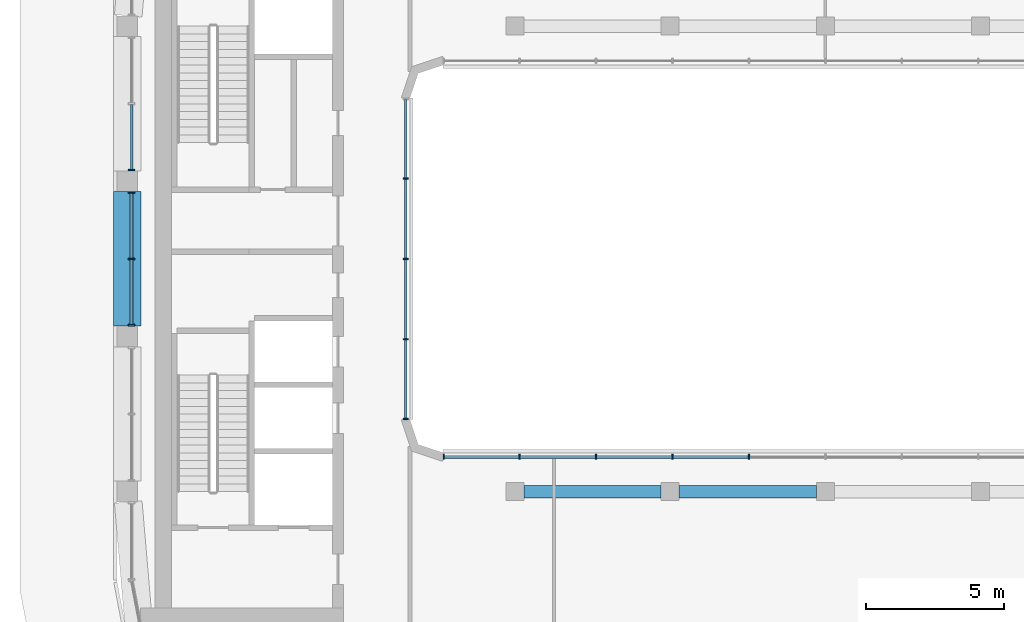
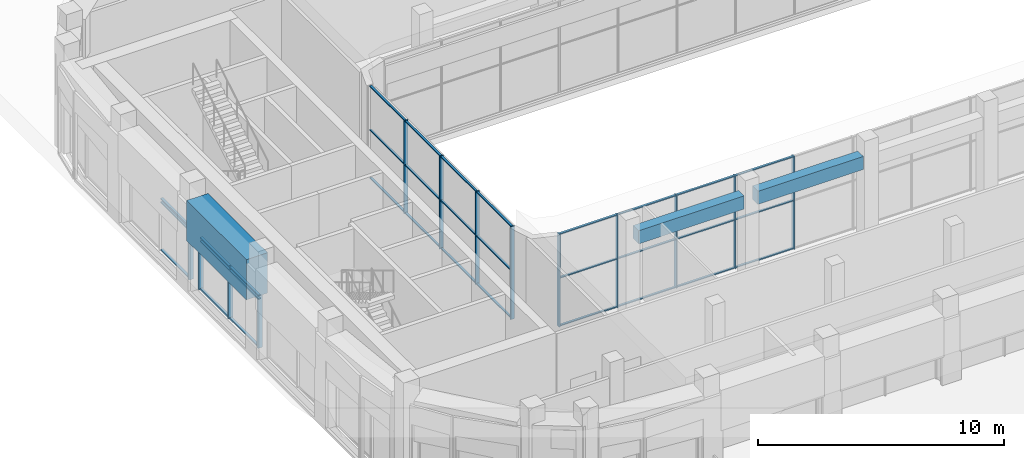
# One storey, part 4 of 23: 46 members, 3 beams, 4 elements without a shape of their own.
"""IFC4 building model written with IfcOpenShell, lengths in metres."""

from ifc_helpers import new_model, si_unit, direction, frame, origin, origin_2d, place, context, subcontext, project, spatial, rectangle, extrude, material, layer, layer_set, material_profile, profile_set, type_object, element, aggregate, save


model = new_model("IFC4")

# Units and contexts
model_context = context("Model", 3, precision=1e-05, world=origin(), true_north=direction((0.0, 1.0)))
body_context = subcontext(model_context, "Body", "Model", "MODEL_VIEW")
ifc_project = project(units=[si_unit("LENGTHUNIT", "METRE"), si_unit("AREAUNIT", "SQUARE_METRE"), si_unit("VOLUMEUNIT", "CUBIC_METRE"), si_unit("PLANEANGLEUNIT", "RADIAN"), si_unit("MASSUNIT", "GRAM", prefix="KILO")], contexts=[model_context])

# Site, building, storey
site_placement = place(None, origin())
site = spatial("IfcSite", under=ifc_project, at=site_placement, CompositionType="ELEMENT")
building_placement = place(site_placement, origin())
building = spatial("IfcBuilding", under=site, at=building_placement, Name="Kiln Ring Residences", CompositionType="ELEMENT")
storey_placement = place(building_placement, frame((0.0, 0.0, 294.5)))
storey = spatial("IfcBuildingStorey", under=building, at=storey_placement, Name="L76", CompositionType="ELEMENT", Elevation=294.5)

# Curtain wall, members
ifc_material_1 = material(Name="Aluminium and glass", Category="aluminium")
ifc_layer_1 = layer(ifc_material_1, 0.179931640625)
ifc_layer_set_1 = layer_set([ifc_layer_1], Name="CW3 CURTAIN WALL")
curtain_wall_type_1 = type_object("IfcCurtainWallType", Name="CW3 CURTAIN WALL", PredefinedType="NOTDEFINED", material=ifc_layer_set_1)
placement = place(storey_placement, origin())
curtain_wall_1 = element("IfcCurtainWall", 1, at=placement, inside=storey, type_object=curtain_wall_type_1, Name="Curtain wall CW3 L76", PredefinedType="NOTDEFINED")
ifc_material_2 = material(Name="Aluminium 6063-T6", Category="aluminium")
ifc_material_profile_1 = material_profile(ifc_material_2, rectangle(XDim=0.179931640625, YDim=0.050048828125, at=origin_2d()), Name="AL 180x50")
ifc_profile_set_1 = profile_set([ifc_material_profile_1], Name="Aluminium 6063-T6")
member_type_1 = type_object("IfcMemberType", Name="CW3 MULLION 180 x 50", PredefinedType="MULLION", material=ifc_profile_set_1)
member_1_placement = place(storey_placement, frame((-15.14990234375, -5.77490234375, 0.0), z_axis=(0.0, 0.0, 1.0), x_axis=(-1.0, 0.0, 0.0)))
member_1 = element("IfcMember", 2, at=member_1_placement, type_object=member_type_1, Name="CW3 mullion 1", PredefinedType="MULLION", context=body_context, shape_type="SweptSolid", body=[
    extrude(rectangle(XDim=0.179931640625, YDim=0.050048828125, at=origin_2d()), origin(), (0.0, 0.0, 1.0), 4.60009765625),
])
member_2_placement = place(storey_placement, frame((-15.14990234375, -2.89990234375, 0.0), z_axis=(0.0, 0.0, 1.0), x_axis=(-1.0, 0.0, 0.0)))
member_2 = element("IfcMember", 3, at=member_2_placement, type_object=member_type_1, Name="CW3 mullion 2", PredefinedType="MULLION", context=body_context, shape_type="SweptSolid", body=[
    extrude(rectangle(XDim=0.179931640625, YDim=0.050048828125, at=origin_2d()), origin(), (0.0, 0.0, 1.0), 4.60009765625),
])
member_3_placement = place(storey_placement, frame((-15.14990234375, 0.0, 0.0), z_axis=(0.0, 0.0, 1.0), x_axis=(-1.0, 0.0, 0.0)))
member_3 = element("IfcMember", 4, at=member_3_placement, type_object=member_type_1, Name="CW3 mullion 3", PredefinedType="MULLION", context=body_context, shape_type="SweptSolid", body=[
    extrude(rectangle(XDim=0.179931640625, YDim=0.050048828125, at=origin_2d()), origin(), (0.0, 0.0, 1.0), 4.60009765625),
])
member_4_placement = place(storey_placement, frame((-15.14990234375, 2.89990234375, 0.0), z_axis=(0.0, 0.0, 1.0), x_axis=(-1.0, 0.0, 0.0)))
member_4 = element("IfcMember", 5, at=member_4_placement, type_object=member_type_1, Name="CW3 mullion 4", PredefinedType="MULLION", context=body_context, shape_type="SweptSolid", body=[
    extrude(rectangle(XDim=0.179931640625, YDim=0.050048828125, at=origin_2d()), origin(), (0.0, 0.0, 1.0), 4.60009765625),
])

curtain_wall_2 = element("IfcCurtainWall", 6, at=placement, inside=storey, type_object=curtain_wall_type_1, Name="Curtain wall CW3 L76", PredefinedType="NOTDEFINED")
member_5_placement = place(storey_placement, frame((-2.760009765625, -7.14990234375, 0.0), z_axis=(0.0, 0.0, 1.0), x_axis=(0.0, -1.0, 0.0)))
member_5 = element("IfcMember", 7, at=member_5_placement, type_object=member_type_1, Name="CW3 mullion 7", PredefinedType="MULLION", context=body_context, shape_type="SweptSolid", body=[
    extrude(rectangle(XDim=0.179931640625, YDim=0.050048828125, at=origin_2d()), origin(), (0.0, 0.0, 1.0), 4.60009765625),
])
member_6_placement = place(storey_placement, frame((-5.52001953125, -7.14990234375, 0.0), z_axis=(0.0, 0.0, 1.0), x_axis=(0.0, -1.0, 0.0)))
member_6 = element("IfcMember", 8, at=member_6_placement, type_object=member_type_1, Name="CW3 mullion 8", PredefinedType="MULLION", context=body_context, shape_type="SweptSolid", body=[
    extrude(rectangle(XDim=0.179931640625, YDim=0.050048828125, at=origin_2d()), origin(), (0.0, 0.0, 1.0), 4.60009765625),
])
member_7_placement = place(storey_placement, frame((-8.280029296875, -7.14990234375, 0.0), z_axis=(0.0, 0.0, 1.0), x_axis=(0.0, -1.0, 0.0)))
member_7 = element("IfcMember", 9, at=member_7_placement, type_object=member_type_1, Name="CW3 mullion 9", PredefinedType="MULLION", context=body_context, shape_type="SweptSolid", body=[
    extrude(rectangle(XDim=0.179931640625, YDim=0.050048828125, at=origin_2d()), origin(), (0.0, 0.0, 1.0), 4.60009765625),
])
member_8_placement = place(storey_placement, frame((-11.0400390625, -7.14990234375, 0.0), z_axis=(0.0, 0.0, 1.0), x_axis=(0.0, -1.0, 0.0)))
member_8 = element("IfcMember", 10, at=member_8_placement, type_object=member_type_1, Name="CW3 mullion 10", PredefinedType="MULLION", context=body_context, shape_type="SweptSolid", body=[
    extrude(rectangle(XDim=0.179931640625, YDim=0.050048828125, at=origin_2d()), origin(), (0.0, 0.0, 1.0), 4.60009765625),
])
member_9_placement = place(storey_placement, frame((-13.77490234375, -7.14990234375, 0.0), z_axis=(0.0, 0.0, 1.0), x_axis=(0.0, -1.0, 0.0)))
member_9 = element("IfcMember", 11, at=member_9_placement, type_object=member_type_1, Name="CW3 mullion 11", PredefinedType="MULLION", context=body_context, shape_type="SweptSolid", body=[
    extrude(rectangle(XDim=0.179931640625, YDim=0.050048828125, at=origin_2d()), origin(), (0.0, 0.0, 1.0), 4.60009765625),
])

# Member
ifc_material_3 = material(Name="Aluminium 6063-T6", Category="aluminium")
ifc_material_profile_2 = material_profile(ifc_material_3, rectangle(XDim=0.10009765625, YDim=0.050048828125, at=origin_2d()), Name="AL 100x50")
ifc_profile_set_2 = profile_set([ifc_material_profile_2], Name="Aluminium 6063-T6")
member_type_2 = type_object("IfcMemberType", Name="CW3 TRANSOM 100 x 50", PredefinedType="USERDEFINED", material=ifc_profile_set_2)
member_10_placement = place(storey_placement, frame((-15.14990234375, -5.75, 0.02490234375), z_axis=(0.0, 1.0, 0.0), x_axis=(-1.0, 0.0, 0.0)))
member_10 = element("IfcMember", 12, at=member_10_placement, type_object=member_type_2, Name="CW3 transom 1.1", ObjectType="TRANSOM", PredefinedType="USERDEFINED", context=body_context, shape_type="SweptSolid", body=[
    extrude(rectangle(XDim=0.10009765625, YDim=0.050048828125, at=origin_2d()), origin(), (0.0, 0.0, 1.0), 2.824951171875),
])

member_11_placement = place(storey_placement, frame((-15.14990234375, -5.75, 2.39990234375), z_axis=(0.0, 1.0, 0.0), x_axis=(-1.0, 0.0, 0.0)))
member_11 = element("IfcMember", 13, at=member_11_placement, type_object=member_type_2, Name="CW3 transom 1.2", ObjectType="TRANSOM", PredefinedType="USERDEFINED", context=body_context, shape_type="SweptSolid", body=[
    extrude(rectangle(XDim=0.10009765625, YDim=0.050048828125, at=origin_2d()), origin(), (0.0, 0.0, 1.0), 2.824951171875),
])

member_12_placement = place(storey_placement, frame((-15.14990234375, -5.75, 4.574951171875), z_axis=(0.0, 1.0, 0.0), x_axis=(-1.0, 0.0, 0.0)))
member_12 = element("IfcMember", 14, at=member_12_placement, type_object=member_type_2, Name="CW3 transom 1.3", ObjectType="TRANSOM", PredefinedType="USERDEFINED", context=body_context, shape_type="SweptSolid", body=[
    extrude(rectangle(XDim=0.10009765625, YDim=0.050048828125, at=origin_2d()), origin(), (0.0, 0.0, 1.0), 2.824951171875),
])

member_13_placement = place(storey_placement, frame((-15.14990234375, -2.875, 0.02490234375), z_axis=(0.0, 1.0, 0.0), x_axis=(-1.0, 0.0, 0.0)))
member_13 = element("IfcMember", 15, at=member_13_placement, type_object=member_type_2, Name="CW3 transom 2.1", ObjectType="TRANSOM", PredefinedType="USERDEFINED", context=body_context, shape_type="SweptSolid", body=[
    extrude(rectangle(XDim=0.10009765625, YDim=0.050048828125, at=origin_2d()), origin(), (0.0, 0.0, 1.0), 2.85009765625),
])

member_14_placement = place(storey_placement, frame((-15.14990234375, -2.875, 2.39990234375), z_axis=(0.0, 1.0, 0.0), x_axis=(-1.0, 0.0, 0.0)))
member_14 = element("IfcMember", 16, at=member_14_placement, type_object=member_type_2, Name="CW3 transom 2.2", ObjectType="TRANSOM", PredefinedType="USERDEFINED", context=body_context, shape_type="SweptSolid", body=[
    extrude(rectangle(XDim=0.10009765625, YDim=0.050048828125, at=origin_2d()), origin(), (0.0, 0.0, 1.0), 2.85009765625),
])

member_15_placement = place(storey_placement, frame((-15.14990234375, -2.875, 4.574951171875), z_axis=(0.0, 1.0, 0.0), x_axis=(-1.0, 0.0, 0.0)))
member_15 = element("IfcMember", 17, at=member_15_placement, type_object=member_type_2, Name="CW3 transom 2.3", ObjectType="TRANSOM", PredefinedType="USERDEFINED", context=body_context, shape_type="SweptSolid", body=[
    extrude(rectangle(XDim=0.10009765625, YDim=0.050048828125, at=origin_2d()), origin(), (0.0, 0.0, 1.0), 2.85009765625),
])

member_16_placement = place(storey_placement, frame((-15.14990234375, 0.02490234375, 0.02490234375), z_axis=(0.0, 1.0, 0.0), x_axis=(-1.0, 0.0, 0.0)))
member_16 = element("IfcMember", 18, at=member_16_placement, type_object=member_type_2, Name="CW3 transom 3.1", ObjectType="TRANSOM", PredefinedType="USERDEFINED", context=body_context, shape_type="SweptSolid", body=[
    extrude(rectangle(XDim=0.10009765625, YDim=0.050048828125, at=origin_2d()), origin(), (0.0, 0.0, 1.0), 2.85009765625),
])

member_17_placement = place(storey_placement, frame((-15.14990234375, 0.02490234375, 2.39990234375), z_axis=(0.0, 1.0, 0.0), x_axis=(-1.0, 0.0, 0.0)))
member_17 = element("IfcMember", 19, at=member_17_placement, type_object=member_type_2, Name="CW3 transom 3.2", ObjectType="TRANSOM", PredefinedType="USERDEFINED", context=body_context, shape_type="SweptSolid", body=[
    extrude(rectangle(XDim=0.10009765625, YDim=0.050048828125, at=origin_2d()), origin(), (0.0, 0.0, 1.0), 2.85009765625),
])

member_18_placement = place(storey_placement, frame((-15.14990234375, 0.02490234375, 4.574951171875), z_axis=(0.0, 1.0, 0.0), x_axis=(-1.0, 0.0, 0.0)))
member_18 = element("IfcMember", 20, at=member_18_placement, type_object=member_type_2, Name="CW3 transom 3.3", ObjectType="TRANSOM", PredefinedType="USERDEFINED", context=body_context, shape_type="SweptSolid", body=[
    extrude(rectangle(XDim=0.10009765625, YDim=0.050048828125, at=origin_2d()), origin(), (0.0, 0.0, 1.0), 2.85009765625),
])

member_19_placement = place(storey_placement, frame((-15.14990234375, 2.925048828125, 0.02490234375), z_axis=(0.0, 1.0, 0.0), x_axis=(-1.0, 0.0, 0.0)))
member_19 = element("IfcMember", 21, at=member_19_placement, type_object=member_type_2, Name="CW3 transom 4.1", ObjectType="TRANSOM", PredefinedType="USERDEFINED", context=body_context, shape_type="SweptSolid", body=[
    extrude(rectangle(XDim=0.10009765625, YDim=0.050048828125, at=origin_2d()), origin(), (0.0, 0.0, 1.0), 2.824951171875),
])

member_20_placement = place(storey_placement, frame((-15.14990234375, 2.925048828125, 2.39990234375), z_axis=(0.0, 1.0, 0.0), x_axis=(-1.0, 0.0, 0.0)))
member_20 = element("IfcMember", 22, at=member_20_placement, type_object=member_type_2, Name="CW3 transom 4.2", ObjectType="TRANSOM", PredefinedType="USERDEFINED", context=body_context, shape_type="SweptSolid", body=[
    extrude(rectangle(XDim=0.10009765625, YDim=0.050048828125, at=origin_2d()), origin(), (0.0, 0.0, 1.0), 2.824951171875),
])

member_21_placement = place(storey_placement, frame((-15.14990234375, 2.925048828125, 4.574951171875), z_axis=(0.0, 1.0, 0.0), x_axis=(-1.0, 0.0, 0.0)))
member_21 = element("IfcMember", 23, at=member_21_placement, type_object=member_type_2, Name="CW3 transom 4.3", ObjectType="TRANSOM", PredefinedType="USERDEFINED", context=body_context, shape_type="SweptSolid", body=[
    extrude(rectangle(XDim=0.10009765625, YDim=0.050048828125, at=origin_2d()), origin(), (0.0, 0.0, 1.0), 2.824951171875),
])

aggregate(curtain_wall_1, [member_1, member_2, member_3, member_4, member_10, member_11, member_12, member_13, member_14, member_15, member_16, member_17, member_18, member_19, member_20, member_21])

member_22_placement = place(storey_placement, frame((-2.784912109375, -7.14990234375, 0.02490234375), z_axis=(-1.0, 0.0, 0.0), x_axis=(0.0, -1.0, 0.0)))
member_22 = element("IfcMember", 24, at=member_22_placement, type_object=member_type_2, Name="CW3 transom 7.1", ObjectType="TRANSOM", PredefinedType="USERDEFINED", context=body_context, shape_type="SweptSolid", body=[
    extrude(rectangle(XDim=0.10009765625, YDim=0.050048828125, at=origin_2d()), origin(), (0.0, 0.0, 1.0), 2.710205078125),
])

member_23_placement = place(storey_placement, frame((-2.784912109375, -7.14990234375, 2.39990234375), z_axis=(-1.0, 0.0, 0.0), x_axis=(0.0, -1.0, 0.0)))
member_23 = element("IfcMember", 25, at=member_23_placement, type_object=member_type_2, Name="CW3 transom 7.2", ObjectType="TRANSOM", PredefinedType="USERDEFINED", context=body_context, shape_type="SweptSolid", body=[
    extrude(rectangle(XDim=0.10009765625, YDim=0.050048828125, at=origin_2d()), origin(), (0.0, 0.0, 1.0), 2.710205078125),
])

member_24_placement = place(storey_placement, frame((-2.784912109375, -7.14990234375, 4.574951171875), z_axis=(-1.0, 0.0, 0.0), x_axis=(0.0, -1.0, 0.0)))
member_24 = element("IfcMember", 26, at=member_24_placement, type_object=member_type_2, Name="CW3 transom 7.3", ObjectType="TRANSOM", PredefinedType="USERDEFINED", context=body_context, shape_type="SweptSolid", body=[
    extrude(rectangle(XDim=0.10009765625, YDim=0.050048828125, at=origin_2d()), origin(), (0.0, 0.0, 1.0), 2.710205078125),
])

member_25_placement = place(storey_placement, frame((-5.544921875, -7.14990234375, 0.02490234375), z_axis=(-1.0, 0.0, 0.0), x_axis=(0.0, -1.0, 0.0)))
member_25 = element("IfcMember", 27, at=member_25_placement, type_object=member_type_2, Name="CW3 transom 8.1", ObjectType="TRANSOM", PredefinedType="USERDEFINED", context=body_context, shape_type="SweptSolid", body=[
    extrude(rectangle(XDim=0.10009765625, YDim=0.050048828125, at=origin_2d()), origin(), (0.0, 0.0, 1.0), 2.7099609375),
])

member_26_placement = place(storey_placement, frame((-5.544921875, -7.14990234375, 2.39990234375), z_axis=(-1.0, 0.0, 0.0), x_axis=(0.0, -1.0, 0.0)))
member_26 = element("IfcMember", 28, at=member_26_placement, type_object=member_type_2, Name="CW3 transom 8.2", ObjectType="TRANSOM", PredefinedType="USERDEFINED", context=body_context, shape_type="SweptSolid", body=[
    extrude(rectangle(XDim=0.10009765625, YDim=0.050048828125, at=origin_2d()), origin(), (0.0, 0.0, 1.0), 2.7099609375),
])

member_27_placement = place(storey_placement, frame((-5.544921875, -7.14990234375, 4.574951171875), z_axis=(-1.0, 0.0, 0.0), x_axis=(0.0, -1.0, 0.0)))
member_27 = element("IfcMember", 29, at=member_27_placement, type_object=member_type_2, Name="CW3 transom 8.3", ObjectType="TRANSOM", PredefinedType="USERDEFINED", context=body_context, shape_type="SweptSolid", body=[
    extrude(rectangle(XDim=0.10009765625, YDim=0.050048828125, at=origin_2d()), origin(), (0.0, 0.0, 1.0), 2.7099609375),
])

member_28_placement = place(storey_placement, frame((-8.304931640625, -7.14990234375, 0.02490234375), z_axis=(-1.0, 0.0, 0.0), x_axis=(0.0, -1.0, 0.0)))
member_28 = element("IfcMember", 30, at=member_28_placement, type_object=member_type_2, Name="CW3 transom 9.1", ObjectType="TRANSOM", PredefinedType="USERDEFINED", context=body_context, shape_type="SweptSolid", body=[
    extrude(rectangle(XDim=0.10009765625, YDim=0.050048828125, at=origin_2d()), origin(), (0.0, 0.0, 1.0), 2.7099609375),
])

member_29_placement = place(storey_placement, frame((-8.304931640625, -7.14990234375, 2.39990234375), z_axis=(-1.0, 0.0, 0.0), x_axis=(0.0, -1.0, 0.0)))
member_29 = element("IfcMember", 31, at=member_29_placement, type_object=member_type_2, Name="CW3 transom 9.2", ObjectType="TRANSOM", PredefinedType="USERDEFINED", context=body_context, shape_type="SweptSolid", body=[
    extrude(rectangle(XDim=0.10009765625, YDim=0.050048828125, at=origin_2d()), origin(), (0.0, 0.0, 1.0), 2.7099609375),
])

member_30_placement = place(storey_placement, frame((-8.304931640625, -7.14990234375, 4.574951171875), z_axis=(-1.0, 0.0, 0.0), x_axis=(0.0, -1.0, 0.0)))
member_30 = element("IfcMember", 32, at=member_30_placement, type_object=member_type_2, Name="CW3 transom 9.3", ObjectType="TRANSOM", PredefinedType="USERDEFINED", context=body_context, shape_type="SweptSolid", body=[
    extrude(rectangle(XDim=0.10009765625, YDim=0.050048828125, at=origin_2d()), origin(), (0.0, 0.0, 1.0), 2.7099609375),
])

member_31_placement = place(storey_placement, frame((-11.06494140625, -7.14990234375, 0.02490234375), z_axis=(-1.0, 0.0, 0.0), x_axis=(0.0, -1.0, 0.0)))
member_31 = element("IfcMember", 33, at=member_31_placement, type_object=member_type_2, Name="CW3 transom 10.1", ObjectType="TRANSOM", PredefinedType="USERDEFINED", context=body_context, shape_type="SweptSolid", body=[
    extrude(rectangle(XDim=0.10009765625, YDim=0.050048828125, at=origin_2d()), origin(), (0.0, 0.0, 1.0), 2.68505859375),
])

member_32_placement = place(storey_placement, frame((-11.06494140625, -7.14990234375, 2.39990234375), z_axis=(-1.0, 0.0, 0.0), x_axis=(0.0, -1.0, 0.0)))
member_32 = element("IfcMember", 34, at=member_32_placement, type_object=member_type_2, Name="CW3 transom 10.2", ObjectType="TRANSOM", PredefinedType="USERDEFINED", context=body_context, shape_type="SweptSolid", body=[
    extrude(rectangle(XDim=0.10009765625, YDim=0.050048828125, at=origin_2d()), origin(), (0.0, 0.0, 1.0), 2.68505859375),
])

member_33_placement = place(storey_placement, frame((-11.06494140625, -7.14990234375, 4.574951171875), z_axis=(-1.0, 0.0, 0.0), x_axis=(0.0, -1.0, 0.0)))
member_33 = element("IfcMember", 35, at=member_33_placement, type_object=member_type_2, Name="CW3 transom 10.3", ObjectType="TRANSOM", PredefinedType="USERDEFINED", context=body_context, shape_type="SweptSolid", body=[
    extrude(rectangle(XDim=0.10009765625, YDim=0.050048828125, at=origin_2d()), origin(), (0.0, 0.0, 1.0), 2.68505859375),
])

aggregate(curtain_wall_2, [member_5, member_6, member_7, member_8, member_9, member_22, member_23, member_24, member_25, member_26, member_27, member_28, member_29, member_30, member_31, member_32, member_33])

# Curtain wall, member
ifc_material_4 = material(Name="Aluminium and glass", Category="aluminium")
ifc_layer_2 = layer(ifc_material_4, 0.219970703125)
ifc_layer_set_2 = layer_set([ifc_layer_2], Name="CW5 CURTAIN WALL")
curtain_wall_type_2 = type_object("IfcCurtainWallType", Name="CW5 CURTAIN WALL", PredefinedType="NOTDEFINED", material=ifc_layer_set_2)
curtain_wall_3 = element("IfcCurtainWall", 36, at=placement, inside=storey, type_object=curtain_wall_type_2, Name="Curtain wall CW5 L76", PredefinedType="NOTDEFINED")
ifc_material_5 = material(Name="Aluminium 6063-T6", Category="aluminium")
ifc_material_profile_3 = material_profile(ifc_material_5, rectangle(XDim=0.219970703125, YDim=0.06005859375, at=origin_2d()), Name="AL 220x60")
ifc_profile_set_3 = profile_set([ifc_material_profile_3], Name="Aluminium 6063-T6")
member_type_3 = type_object("IfcMemberType", Name="CW5 MULLION 220 x 60", PredefinedType="MULLION", material=ifc_profile_set_3)
member_34_placement = place(storey_placement, frame((-25.050048828125, 3.205078125, 0.0), z_axis=(0.0, 0.0, 1.0), x_axis=(1.0, 0.0, 0.0)))
member_34 = element("IfcMember", 37, at=member_34_placement, type_object=member_type_3, Name="CW5 mullion 3", PredefinedType="MULLION", context=body_context, shape_type="SweptSolid", body=[
    extrude(rectangle(XDim=0.219970703125, YDim=0.06005859375, at=origin_2d()), origin(), (0.0, 0.0, 1.0), 2.60009765625),
])

# Curtain wall, members
curtain_wall_4 = element("IfcCurtainWall", 38, at=placement, inside=storey, type_object=curtain_wall_type_2, Name="Curtain wall CW5 L76", PredefinedType="NOTDEFINED")
member_35_placement = place(storey_placement, frame((-25.050048828125, 2.39501953125, 0.0), z_axis=(0.0, 0.0, 1.0), x_axis=(1.0, 0.0, 0.0)))
member_35 = element("IfcMember", 39, at=member_35_placement, type_object=member_type_3, Name="CW5 mullion 1", PredefinedType="MULLION", context=body_context, shape_type="SweptSolid", body=[
    extrude(rectangle(XDim=0.219970703125, YDim=0.06005859375, at=origin_2d()), origin(), (0.0, 0.0, 1.0), 2.60009765625),
])
member_36_placement = place(storey_placement, frame((-25.050048828125, 0.0, 0.0), z_axis=(0.0, 0.0, 1.0), x_axis=(1.0, 0.0, 0.0)))
member_36 = element("IfcMember", 40, at=member_36_placement, type_object=member_type_3, Name="CW5 mullion 2", PredefinedType="MULLION", context=body_context, shape_type="SweptSolid", body=[
    extrude(rectangle(XDim=0.219970703125, YDim=0.06005859375, at=origin_2d()), origin(), (0.0, 0.0, 1.0), 2.60009765625),
])
member_37_placement = place(storey_placement, frame((-25.050048828125, -2.39501953125, 0.0), z_axis=(0.0, 0.0, 1.0), x_axis=(1.0, 0.0, 0.0)))
member_37 = element("IfcMember", 41, at=member_37_placement, type_object=member_type_3, Name="CW5 mullion 3", PredefinedType="MULLION", context=body_context, shape_type="SweptSolid", body=[
    extrude(rectangle(XDim=0.219970703125, YDim=0.06005859375, at=origin_2d()), origin(), (0.0, 0.0, 1.0), 2.60009765625),
])

# Member
ifc_material_6 = material(Name="Aluminium 6063-T6", Category="aluminium")
ifc_material_profile_4 = material_profile(ifc_material_6, rectangle(XDim=0.1201171875, YDim=0.06005859375, at=origin_2d()), Name="AL 120x60")
ifc_profile_set_4 = profile_set([ifc_material_profile_4], Name="Aluminium 6063-T6")
member_type_4 = type_object("IfcMemberType", Name="CW5 TRANSOM 120 x 60", PredefinedType="USERDEFINED", material=ifc_profile_set_4)
member_38_placement = place(storey_placement, frame((-25.050048828125, 5.570068359375, 0.030029296875), z_axis=(0.0, -1.0, 0.0), x_axis=(1.0, 0.0, 0.0)))
member_38 = element("IfcMember", 42, at=member_38_placement, type_object=member_type_4, Name="CW5 transom 2.1", ObjectType="TRANSOM", PredefinedType="USERDEFINED", context=body_context, shape_type="SweptSolid", body=[
    extrude(rectangle(XDim=0.1201171875, YDim=0.06005859375, at=origin_2d()), origin(), (0.0, 0.0, 1.0), 2.3349609375),
])

member_39_placement = place(storey_placement, frame((-25.050048828125, 5.570068359375, 2.39990234375), z_axis=(0.0, -1.0, 0.0), x_axis=(1.0, 0.0, 0.0)))
member_39 = element("IfcMember", 43, at=member_39_placement, type_object=member_type_4, Name="CW5 transom 2.2", ObjectType="TRANSOM", PredefinedType="USERDEFINED", context=body_context, shape_type="SweptSolid", body=[
    extrude(rectangle(XDim=0.1201171875, YDim=0.06005859375, at=origin_2d()), origin(), (0.0, 0.0, 1.0), 2.3349609375),
])

member_40_placement = place(storey_placement, frame((-25.050048828125, 5.570068359375, 2.570068359375), z_axis=(0.0, -1.0, 0.0), x_axis=(1.0, 0.0, 0.0)))
member_40 = element("IfcMember", 44, at=member_40_placement, type_object=member_type_4, Name="CW5 transom 2.3", ObjectType="TRANSOM", PredefinedType="USERDEFINED", context=body_context, shape_type="SweptSolid", body=[
    extrude(rectangle(XDim=0.1201171875, YDim=0.06005859375, at=origin_2d()), origin(), (0.0, 0.0, 1.0), 2.3349609375),
])

aggregate(curtain_wall_3, [member_34, member_38, member_39, member_40])

member_41_placement = place(storey_placement, frame((-25.050048828125, 2.364990234375, 0.030029296875), z_axis=(0.0, -1.0, 0.0), x_axis=(1.0, 0.0, 0.0)))
member_41 = element("IfcMember", 45, at=member_41_placement, type_object=member_type_4, Name="CW5 transom 1.1", ObjectType="TRANSOM", PredefinedType="USERDEFINED", context=body_context, shape_type="SweptSolid", body=[
    extrude(rectangle(XDim=0.1201171875, YDim=0.06005859375, at=origin_2d()), origin(), (0.0, 0.0, 1.0), 2.3349609375),
])

member_42_placement = place(storey_placement, frame((-25.050048828125, 2.364990234375, 2.39990234375), z_axis=(0.0, -1.0, 0.0), x_axis=(1.0, 0.0, 0.0)))
member_42 = element("IfcMember", 46, at=member_42_placement, type_object=member_type_4, Name="CW5 transom 1.2", ObjectType="TRANSOM", PredefinedType="USERDEFINED", context=body_context, shape_type="SweptSolid", body=[
    extrude(rectangle(XDim=0.1201171875, YDim=0.06005859375, at=origin_2d()), origin(), (0.0, 0.0, 1.0), 2.3349609375),
])

member_43_placement = place(storey_placement, frame((-25.050048828125, 2.364990234375, 2.570068359375), z_axis=(0.0, -1.0, 0.0), x_axis=(1.0, 0.0, 0.0)))
member_43 = element("IfcMember", 47, at=member_43_placement, type_object=member_type_4, Name="CW5 transom 1.3", ObjectType="TRANSOM", PredefinedType="USERDEFINED", context=body_context, shape_type="SweptSolid", body=[
    extrude(rectangle(XDim=0.1201171875, YDim=0.06005859375, at=origin_2d()), origin(), (0.0, 0.0, 1.0), 2.3349609375),
])

member_44_placement = place(storey_placement, frame((-25.050048828125, -0.030029296875, 0.030029296875), z_axis=(0.0, -1.0, 0.0), x_axis=(1.0, 0.0, 0.0)))
member_44 = element("IfcMember", 48, at=member_44_placement, type_object=member_type_4, Name="CW5 transom 2.1", ObjectType="TRANSOM", PredefinedType="USERDEFINED", context=body_context, shape_type="SweptSolid", body=[
    extrude(rectangle(XDim=0.1201171875, YDim=0.06005859375, at=origin_2d()), origin(), (0.0, 0.0, 1.0), 2.3349609375),
])

member_45_placement = place(storey_placement, frame((-25.050048828125, -0.030029296875, 2.39990234375), z_axis=(0.0, -1.0, 0.0), x_axis=(1.0, 0.0, 0.0)))
member_45 = element("IfcMember", 49, at=member_45_placement, type_object=member_type_4, Name="CW5 transom 2.2", ObjectType="TRANSOM", PredefinedType="USERDEFINED", context=body_context, shape_type="SweptSolid", body=[
    extrude(rectangle(XDim=0.1201171875, YDim=0.06005859375, at=origin_2d()), origin(), (0.0, 0.0, 1.0), 2.3349609375),
])

member_46_placement = place(storey_placement, frame((-25.050048828125, -0.030029296875, 2.570068359375), z_axis=(0.0, -1.0, 0.0), x_axis=(1.0, 0.0, 0.0)))
member_46 = element("IfcMember", 50, at=member_46_placement, type_object=member_type_4, Name="CW5 transom 2.3", ObjectType="TRANSOM", PredefinedType="USERDEFINED", context=body_context, shape_type="SweptSolid", body=[
    extrude(rectangle(XDim=0.1201171875, YDim=0.06005859375, at=origin_2d()), origin(), (0.0, 0.0, 1.0), 2.3349609375),
])

aggregate(curtain_wall_4, [member_35, member_36, member_37, member_41, member_42, member_43, member_44, member_45, member_46])

# Beams
ifc_material_7 = material(Name="Concrete C50/60", Category="concrete")
ifc_material_profile_5 = material_profile(ifc_material_7, rectangle(XDim=0.449951171875, YDim=0.64990234375, at=origin_2d()), Name="RC450x650")
ifc_profile_set_5 = profile_set([ifc_material_profile_5], Name="Concrete C50/60")
beam_type_1 = type_object("IfcBeamType", Name="Ring beam RC450x650 C50/60", PredefinedType="BEAM", material=ifc_profile_set_5)
for number, where, z_axis, x_axis, name in (
    (51, (-10.875, -8.39990234375, 4.27490234375), (1.0, 0.0, 0.0), (0.0, 1.0, 0.0), "Ring beam L76 1"),
    (52, (-5.27490234375, -8.39990234375, 4.27490234375), (1.0, 0.0, 0.0), (0.0, 1.0, 0.0), "Ring beam L76 2"),
):
    element("IfcBeam", number, at=place(storey_placement, frame(where, z_axis=z_axis, x_axis=x_axis)), inside=storey, type_object=beam_type_1, Name=name, PredefinedType="BEAM", context=body_context, shape_type="SweptSolid", body=[
        extrude(rectangle(XDim=0.449951171875, YDim=0.64990234375, at=origin_2d()), origin(), (0.0, 0.0, 1.0), 4.949951171875),
    ])
ifc_material_8 = material(Name="Concrete C70/85", Category="concrete")
ifc_material_profile_6 = material_profile(ifc_material_8, rectangle(XDim=1.0, YDim=2.0, at=origin_2d()), Name="RC1000x2000")
ifc_profile_set_6 = profile_set([ifc_material_profile_6], Name="Concrete C70/85")
beam_type_2 = type_object("IfcBeamType", Name="Transfer girder RC1000x2000 C70/85", PredefinedType="BEAM", material=ifc_profile_set_6)
beam_placement = place(storey_placement, frame((-25.199951171875, 2.425048828125, 3.60009765625), z_axis=(0.0, -1.0, 0.0), x_axis=(1.0, 0.0, 0.0)))
element("IfcBeam", 53, at=beam_placement, inside=storey, type_object=beam_type_2, Name="Transfer girder L76 28", PredefinedType="BEAM", context=body_context, shape_type="SweptSolid", body=[
    extrude(rectangle(XDim=1.0, YDim=2.0, at=origin_2d()), origin(), (0.0, 0.0, 1.0), 4.85009765625),
])

save(model, "model.ifc")
